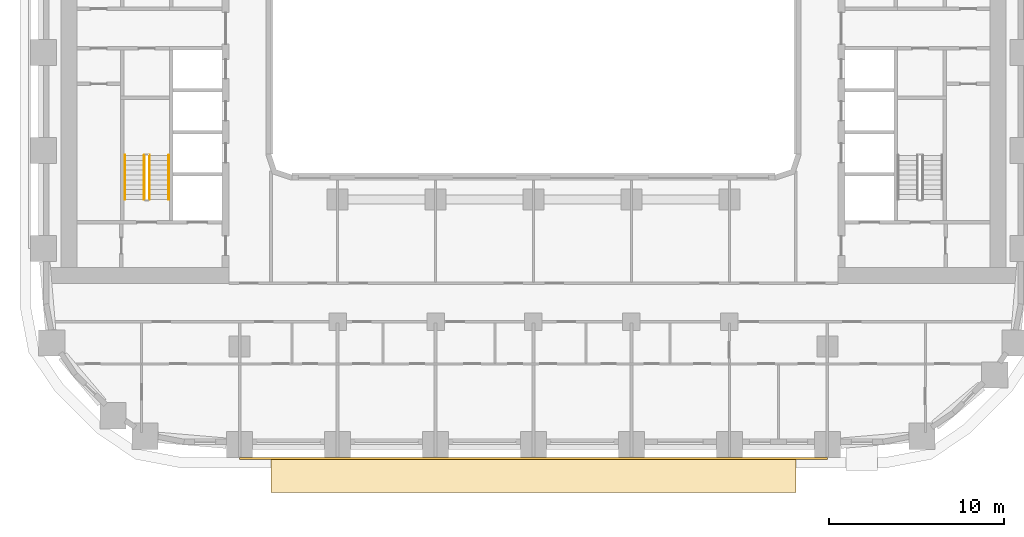
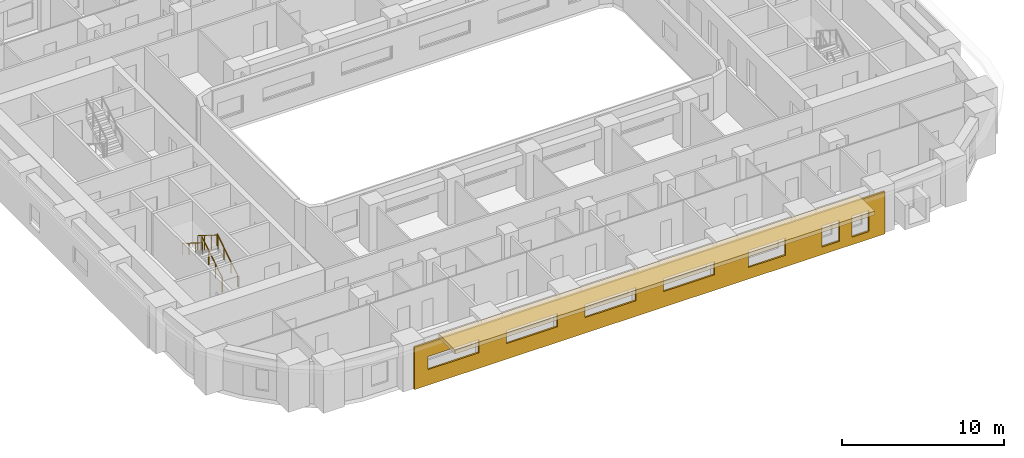
# One storey, part 11 of 21: 4 railings, 2 coverings.
"""IFC4 building model written with IfcOpenShell, lengths in metres."""

import ifcopenshell
import ifcopenshell.guid

model = None  # the IFC model being written
_history = None  # IfcOwnerHistory: only IFC2X3 demands one
_inside = {}  # id of a spatial element -> (the spatial element, [elements in it])
_under = {}  # id of a project, library or spatial element -> (it, [spatial elements below it])
_declared = {}  # id of a project -> (the project, [libraries it declares])
_typed = {}  # id of a type object -> (the type object, [elements of that type])
_made_of = {}  # id of a material, layer set ... -> (it, [elements and type objects made of it])


def new_model(schema):
    """Start an empty IFC model of exactly this schema.

    Asked for "IFC4X3", IfcOpenShell would pick the latest addendum, in which some entities
    have other attributes; the version numbers below select the first issue.
    IFC2X3 requires an IfcOwnerHistory on every rooted entity: one is made here for all.
    """
    global model, _history
    if schema == "IFC4X3":
        model = ifcopenshell.file(schema_version=(4, 3, 0, 0))
    else:
        model = ifcopenshell.file(schema=schema)
    _inside.clear()
    _under.clear()
    _declared.clear()
    _typed.clear()
    _made_of.clear()
    _history = None
    if model.schema == "IFC2X3":
        org = make("IfcOrganization", Name="unknown")
        user = make(
            "IfcPersonAndOrganization",
            ThePerson=make("IfcPerson", FamilyName="unknown"),
            TheOrganization=org,
        )
        app = make(
            "IfcApplication",
            ApplicationDeveloper=org,
            Version="unknown",
            ApplicationFullName="unknown",
            ApplicationIdentifier="unknown",
        )
        _history = make(
            "IfcOwnerHistory",
            OwningUser=user,
            OwningApplication=app,
            ChangeAction="ADDED",
            CreationDate=0,
        )
    return model


def make(cls, **values):
    """One entity of the class cls with the attributes given. An attribute that is None is left unset."""
    return model.create_entity(
        cls, **{name: value for name, value in values.items() if value is not None}
    )


def rooted(cls, **values):
    """An entity with a GlobalId (a new one), such as an element, a storey or a relation."""
    return make(cls, GlobalId=ifcopenshell.guid.new(), OwnerHistory=_history, **values)


def si_unit(unit_type, name, prefix=None):
    """IfcSIUnit, for example si_unit("LENGTHUNIT", "METRE", prefix="MILLI")."""
    return make("IfcSIUnit", UnitType=unit_type, Prefix=prefix, Name=name)


def assignment(units):
    """IfcUnitAssignment: the units of a project."""
    return None if units is None else make("IfcUnitAssignment", Units=units)


def point(xyz):
    """IfcCartesianPoint."""
    return None if xyz is None else make("IfcCartesianPoint", Coordinates=xyz)


def direction(xyz):
    """IfcDirection."""
    return None if xyz is None else make("IfcDirection", DirectionRatios=xyz)


def frame(location, z_axis=None, x_axis=None):
    """IfcAxis2Placement3D, a coordinate frame: its origin and axes. An axis left out is left unset."""
    return make(
        "IfcAxis2Placement3D",
        Location=point(location),
        Axis=direction(z_axis),
        RefDirection=direction(x_axis),
    )


def frame_2d(location, x_axis=None):
    """IfcAxis2Placement2D, a coordinate frame in the plane: its origin and x axis."""
    return make(
        "IfcAxis2Placement2D", Location=point(location), RefDirection=direction(x_axis)
    )


def origin():
    """The frame at (0, 0, 0) with its axes left unset."""
    return frame((0.0, 0.0, 0.0))


def origin_2d():
    """The frame at (0, 0) in the plane with its x axis left unset."""
    return frame_2d((0.0, 0.0))


def place(relative_to, where):
    """IfcLocalPlacement: puts the frame where relative to a parent placement (None: the world)."""
    return make(
        "IfcLocalPlacement", PlacementRelTo=relative_to, RelativePlacement=where
    )


def context(
    kind, dimensions, precision=None, world=None, true_north=None, identifier=None
):
    """IfcGeometricRepresentationContext, for example the 3D "Model" context."""
    return make(
        "IfcGeometricRepresentationContext",
        ContextIdentifier=identifier,
        ContextType=kind,
        CoordinateSpaceDimension=dimensions,
        Precision=precision,
        WorldCoordinateSystem=world,
        TrueNorth=true_north,
    )


def subcontext(parent, identifier, kind, view, scale=None):
    """IfcGeometricRepresentationSubContext, for example "Body" below "Model"."""
    return make(
        "IfcGeometricRepresentationSubContext",
        ContextIdentifier=identifier,
        ContextType=kind,
        ParentContext=parent,
        TargetScale=scale,
        TargetView=view,
    )


def project(units=None, contexts=None):
    """IfcProject with its units and contexts."""
    return rooted(
        "IfcProject",
        Name="project",
        RepresentationContexts=contexts,
        UnitsInContext=assignment(units),
    )


def spatial(cls, under=None, at=None, **own):
    """A site, building, storey or space (cls), placed at a placement, below another one or the project."""
    s = rooted(cls, ObjectPlacement=at, **own)
    if under is not None:
        _under.setdefault(under.id(), (under, []))[1].append(s)
    return s


def polyline(points):
    """IfcPolyline through the points."""
    return make("IfcPolyline", Points=[point(p) for p in points])


def profile(cls, at=None, kind="AREA", **sizes):
    """A parametric profile (cls). Its sizes go by their IFC names, for example OverallWidth=200.0."""
    return make(cls, ProfileType=kind, Position=at, **sizes)


def circle(**sizes):
    """IfcCircleProfileDef."""
    return profile("IfcCircleProfileDef", **sizes)


def outline(outer, holes=None, kind="AREA"):
    """IfcArbitraryClosedProfileDef: a profile drawn as a closed curve; with holes, ...WithVoids."""
    if holes is None:
        return make("IfcArbitraryClosedProfileDef", ProfileType=kind, OuterCurve=outer)
    return make(
        "IfcArbitraryProfileDefWithVoids",
        ProfileType=kind,
        OuterCurve=outer,
        InnerCurves=holes,
    )


def extrude(swept, where, along, depth):
    """IfcExtrudedAreaSolid: the profile swept, set in the frame where, extruded along a direction by depth."""
    return make(
        "IfcExtrudedAreaSolid",
        SweptArea=swept,
        Position=where,
        ExtrudedDirection=direction(along),
        Depth=depth,
    )


def shape(context_of_items, identifier, shape_type, items):
    """IfcShapeRepresentation: the items that make up one representation, for example the "Body"."""
    return make(
        "IfcShapeRepresentation",
        ContextOfItems=context_of_items,
        RepresentationIdentifier=identifier,
        RepresentationType=shape_type,
        Items=items,
    )


def material(Name=None, Category=None):
    """IfcMaterial."""
    return make("IfcMaterial", Name=Name, Category=Category)


def layer(
    of_material, thickness, ventilated=None, Name=None, Category=None, Priority=None
):
    """IfcMaterialLayer: one layer of a wall or slab, of a material (None: an air gap)."""
    return make(
        "IfcMaterialLayer",
        Material=of_material,
        LayerThickness=thickness,
        IsVentilated=ventilated,
        Name=Name,
        Category=Category,
        Priority=Priority,
    )


def layer_set(layers, Name=None):
    """IfcMaterialLayerSet."""
    return make("IfcMaterialLayerSet", MaterialLayers=layers, LayerSetName=Name)


def made_of(thing, what):
    """Note that an element or type object is made of a material, layer set ...; save() writes the relation."""
    if what is not None:
        _made_of.setdefault(what.id(), (what, []))[1].append(thing)
    return thing


def type_object(cls, material=None, **own):
    """A type object (cls), such as IfcWallType, which elements share."""
    return made_of(rooted(cls, **own), material)


def element(
    cls,
    number,
    at=None,
    inside=None,
    cuts=None,
    type_object=None,
    material=None,
    context=None,
    identifier="Body",
    shape_type=None,
    held_by="IfcProductDefinitionShape",
    body=None,
    shapes=None,
    **own,
):
    """One element of the class cls, such as IfcWall. Its Tag is "e" and its number.

    at: its placement. inside: the storey or other place that contains it. cuts: it is an
    opening in that element (IfcRelVoidsElement). A single representation is given by context,
    identifier, shape_type and body (its items); several are given by shapes. held_by: the class
    of the entity that holds the representations. save() writes the other relations.
    """
    e = rooted(cls, Tag="e%d" % number, ObjectPlacement=at, **own)
    if body is not None:
        shapes = [shape(context, identifier, shape_type, body)]
    if shapes is not None:
        e.Representation = make(held_by, Representations=shapes)
    if inside is not None:
        _inside.setdefault(inside.id(), (inside, []))[1].append(e)
    if cuts is not None:
        rooted(
            "IfcRelVoidsElement", RelatingBuildingElement=cuts, RelatedOpeningElement=e
        )
    if type_object is not None:
        _typed.setdefault(type_object.id(), (type_object, []))[1].append(e)
    return made_of(e, material)


def aggregate(whole, parts):
    """IfcRelAggregates: a whole, such as a stair, and the parts it consists of."""
    return rooted("IfcRelAggregates", RelatingObject=whole, RelatedObjects=parts)


def save(model, path):
    """Write the relations noted so far, then the file.

    IfcRelAggregates (storeys below a building ...), IfcRelContainedInSpatialStructure (elements
    in a storey), IfcRelDefinesByType, IfcRelAssociatesMaterial and IfcRelDeclares: one each for
    every whole, place, type object, material and project.
    """
    for whole, parts in _under.values():
        aggregate(whole, parts)
    for where, things in _inside.values():
        rooted(
            "IfcRelContainedInSpatialStructure",
            RelatedElements=things,
            RelatingStructure=where,
        )
    for kind, things in _typed.values():
        rooted("IfcRelDefinesByType", RelatedObjects=things, RelatingType=kind)
    for what, things in _made_of.values():
        rooted("IfcRelAssociatesMaterial", RelatedObjects=things, RelatingMaterial=what)
    for by, libraries in _declared.values():
        rooted("IfcRelDeclares", RelatingContext=by, RelatedDefinitions=libraries)
    model.write(path)


model = new_model("IFC4")

# Units and contexts
model_context = context("Model", 3, precision=1e-05, world=origin(), true_north=direction((0.0, 1.0)))
body_context = subcontext(model_context, "Body", "Model", "MODEL_VIEW")
ifc_project = project(units=[si_unit("LENGTHUNIT", "METRE"), si_unit("AREAUNIT", "SQUARE_METRE"), si_unit("VOLUMEUNIT", "CUBIC_METRE"), si_unit("PLANEANGLEUNIT", "RADIAN"), si_unit("MASSUNIT", "GRAM", prefix="KILO")], contexts=[model_context])

# Site, building, storey
site_placement = place(None, origin())
site = spatial("IfcSite", under=ifc_project, at=site_placement, CompositionType="ELEMENT")
building_placement = place(site_placement, origin())
building = spatial("IfcBuilding", under=site, at=building_placement, Name="Kiln Ring Residences", CompositionType="ELEMENT")
storey_placement = place(building_placement, frame((0.0, 0.0, 34.0)))
storey = spatial("IfcBuildingStorey", under=building, at=storey_placement, Name="L07", CompositionType="ELEMENT", Elevation=34.0)

# Railings
ifc_material_1 = material(Name="Stainless steel", Category="steel")
railing_type_1 = type_object("IfcRailingType", Name="CORE-STAIR-GUARD", PredefinedType="GUARDRAIL", material=ifc_material_1)
railing_1_placement = place(storey_placement, frame((-21.949951171875, -8.39990234375, 0.175048828125)))
element("IfcRailing", 1, at=railing_1_placement, inside=storey, type_object=railing_type_1, Name="L07 W-STS stair guard 1", PredefinedType="GUARDRAIL", context=body_context, shape_type="SweptSolid", body=[
    extrude(circle(Radius=0.02392578125, at=origin_2d()), frame((0.0, 0.0, 1.076171875), z_axis=(0.0, 0.848007534815, 0.529984170421), x_axis=(-1.0, 0.0, 0.0)), (0.0, 0.0, 1.0), 2.9716796875),
    extrude(circle(Radius=0.02099609375, at=origin_2d()), origin(), (0.0, 0.0, 1.0), 1.052001953125),
    extrude(circle(Radius=0.02099609375, at=origin_2d()), frame((0.0, 0.840087890625, 0.52490234375)), (0.0, 0.0, 1.0), 1.052001953125),
    extrude(circle(Radius=0.02099609375, at=origin_2d()), frame((0.0, 1.679931640625, 1.050048828125)), (0.0, 0.0, 1.0), 1.052001953125),
    extrude(circle(Radius=0.02099609375, at=origin_2d()), frame((0.0, 2.52001953125, 1.574951171875)), (0.0, 0.0, 1.0), 1.052001953125),
])
railing_2_placement = place(storey_placement, frame((-22.25, -5.8798828125, 1.925048828125)))
element("IfcRailing", 2, at=railing_2_placement, inside=storey, type_object=railing_type_1, Name="L07 W-STS stair guard 3", PredefinedType="GUARDRAIL", context=body_context, shape_type="SweptSolid", body=[
    extrude(circle(Radius=0.02392578125, at=origin_2d()), frame((0.0, 0.0, 1.076171875), z_axis=(0.0, -0.848007534815, 0.529984170421), x_axis=(1.0, 0.0, 0.0)), (0.0, 0.0, 1.0), 2.9716796875),
    extrude(circle(Radius=0.02099609375, at=origin_2d()), origin(), (0.0, 0.0, 1.0), 1.052001953125),
    extrude(circle(Radius=0.02099609375, at=origin_2d()), frame((0.0, -0.840087890625, 0.52490234375)), (0.0, 0.0, 1.0), 1.052001953125),
    extrude(circle(Radius=0.02099609375, at=origin_2d()), frame((0.0, -1.679931640625, 1.050048828125)), (0.0, 0.0, 1.0), 1.052001953125),
    extrude(circle(Radius=0.02099609375, at=origin_2d()), frame((0.0, -2.52001953125, 1.574951171875)), (0.0, 0.0, 1.0), 1.052001953125),
])
ifc_material_2 = material(Name="Stainless steel", Category="steel")
railing_type_2 = type_object("IfcRailingType", Name="CORE-STAIR-HANDRAIL", PredefinedType="HANDRAIL", material=ifc_material_2)
railing_3_placement = place(storey_placement, frame((-20.85009765625, -8.39990234375, 0.175048828125)))
element("IfcRailing", 3, at=railing_3_placement, inside=storey, type_object=railing_type_2, Name="L07 W-STS stair handrail 1", PredefinedType="HANDRAIL", context=body_context, shape_type="SweptSolid", body=[
    extrude(circle(Radius=0.02392578125, at=origin_2d()), frame((0.0, 0.0, 0.8759765625), z_axis=(0.0, 0.848007534815, 0.529984170421), x_axis=(-1.0, 0.0, 0.0)), (0.0, 0.0, 1.0), 2.9716796875),
    extrude(circle(Radius=0.02099609375, at=origin_2d()), origin(), (0.0, 0.0, 1.0), 0.851806640625),
    extrude(circle(Radius=0.02099609375, at=origin_2d()), frame((0.0, 0.840087890625, 0.52490234375)), (0.0, 0.0, 1.0), 0.851806640625),
    extrude(circle(Radius=0.02099609375, at=origin_2d()), frame((0.0, 1.679931640625, 1.050048828125)), (0.0, 0.0, 1.0), 0.851806640625),
    extrude(circle(Radius=0.02099609375, at=origin_2d()), frame((0.0, 2.52001953125, 1.574951171875)), (0.0, 0.0, 1.0), 0.851806640625),
])
railing_4_placement = place(storey_placement, frame((-23.35009765625, -5.8798828125, 1.925048828125)))
element("IfcRailing", 4, at=railing_4_placement, inside=storey, type_object=railing_type_2, Name="L07 W-STS stair handrail 2", PredefinedType="HANDRAIL", context=body_context, shape_type="SweptSolid", body=[
    extrude(circle(Radius=0.02392578125, at=origin_2d()), frame((0.0, 0.0, 0.8759765625), z_axis=(0.0, -0.848007534815, 0.529984170421), x_axis=(1.0, 0.0, 0.0)), (0.0, 0.0, 1.0), 2.9716796875),
    extrude(circle(Radius=0.02099609375, at=origin_2d()), origin(), (0.0, 0.0, 1.0), 0.851806640625),
    extrude(circle(Radius=0.02099609375, at=origin_2d()), frame((0.0, -0.840087890625, 0.52490234375)), (0.0, 0.0, 1.0), 0.851806640625),
    extrude(circle(Radius=0.02099609375, at=origin_2d()), frame((0.0, -1.679931640625, 1.050048828125)), (0.0, 0.0, 1.0), 0.851806640625),
    extrude(circle(Radius=0.02099609375, at=origin_2d()), frame((0.0, -2.52001953125, 1.574951171875)), (0.0, 0.0, 1.0), 0.851806640625),
])

# Coverings
ifc_material_3 = material(Name="Brick masonry, dark clay brick", Category="masonry")
ifc_layer_1 = layer(ifc_material_3, 0.1201171875)
ifc_layer_set_1 = layer_set([ifc_layer_1], Name="RAINSCREEN PANEL 120")
covering_type_1 = type_object("IfcCoveringType", Name="RAINSCREEN PANEL 120", PredefinedType="CLADDING", material=ifc_layer_set_1)
covering_1_placement = place(storey_placement, frame((-16.800048828125, -23.2099609375, 0.0), z_axis=(0.0, 0.0, 1.0), x_axis=(1.0, 0.0, 0.0)))
element("IfcCovering", 5, at=covering_1_placement, inside=storey, type_object=covering_type_1, Name="RAINSCREEN L07", PredefinedType="CLADDING", context=body_context, shape_type="SweptSolid", body=[
    extrude(outline(polyline([(0.0, 0.0), (33.60009765625, 0.0), (33.60009765625, 3.199951171875), (0.0, 3.199951171875), (0.0, 0.0)]), holes=[polyline([(30.357421875, 0.580078125), (30.357421875, 2.169921875), (29.117431640625, 2.169921875), (29.117431640625, 0.580078125), (30.357421875, 0.580078125)]), polyline([(31.242431640625, 0.580078125), (32.482421875, 0.580078125), (32.482421875, 2.169921875), (31.242431640625, 2.169921875), (31.242431640625, 0.580078125)]), polyline([(23.8798828125, 0.8798828125), (26.52001953125, 0.8798828125), (26.52001953125, 2.169921875), (23.8798828125, 2.169921875), (23.8798828125, 0.8798828125)]), polyline([(0.97998046875, 1.179931640625), (4.6201171875, 1.179931640625), (4.6201171875, 2.169921875), (0.97998046875, 2.169921875), (0.97998046875, 1.179931640625)]), polyline([(6.580078125, 1.179931640625), (10.219970703125, 1.179931640625), (10.219970703125, 2.169921875), (6.580078125, 2.169921875), (6.580078125, 1.179931640625)]), polyline([(12.179931640625, 1.179931640625), (15.820068359375, 1.179931640625), (15.820068359375, 2.169921875), (12.179931640625, 2.169921875), (12.179931640625, 1.179931640625)]), polyline([(17.780029296875, 1.179931640625), (21.419921875, 1.179931640625), (21.419921875, 2.169921875), (17.780029296875, 2.169921875), (17.780029296875, 1.179931640625)])]), frame((0.0, 0.06005859375, 0.0), z_axis=(0.0, -1.0, 0.0), x_axis=(1.0, 0.0, 0.0)), (0.0, 0.0, 1.0), 0.1201171875),
])
ifc_material_4 = material(Name="Black powder-coated steel", Category="steel")
ifc_layer_2 = layer(ifc_material_4, 0.300048828125)
ifc_layer_set_2 = layer_set([ifc_layer_2], Name="SUNSHADE BAND 2000")
covering_type_2 = type_object("IfcCoveringType", Name="SUNSHADE BAND 2000", PredefinedType="CLADDING", material=ifc_layer_set_2)
covering_2_placement = place(storey_placement, frame((0.0, 0.0, 3.199951171875)))
element("IfcCovering", 6, at=covering_2_placement, inside=storey, type_object=covering_type_2, Name="SUNSHADE BAND L07", PredefinedType="CLADDING", context=body_context, shape_type="SweptSolid", body=[
    extrude(outline(polyline([(-15.0, -25.14990234375), (15.0, -25.14990234375), (15.0, -23.14990234375), (-15.0, -23.14990234375), (-15.0, -25.14990234375)])), origin(), (0.0, 0.0, 1.0), 0.300048828125),
])

save(model, "model.ifc")
